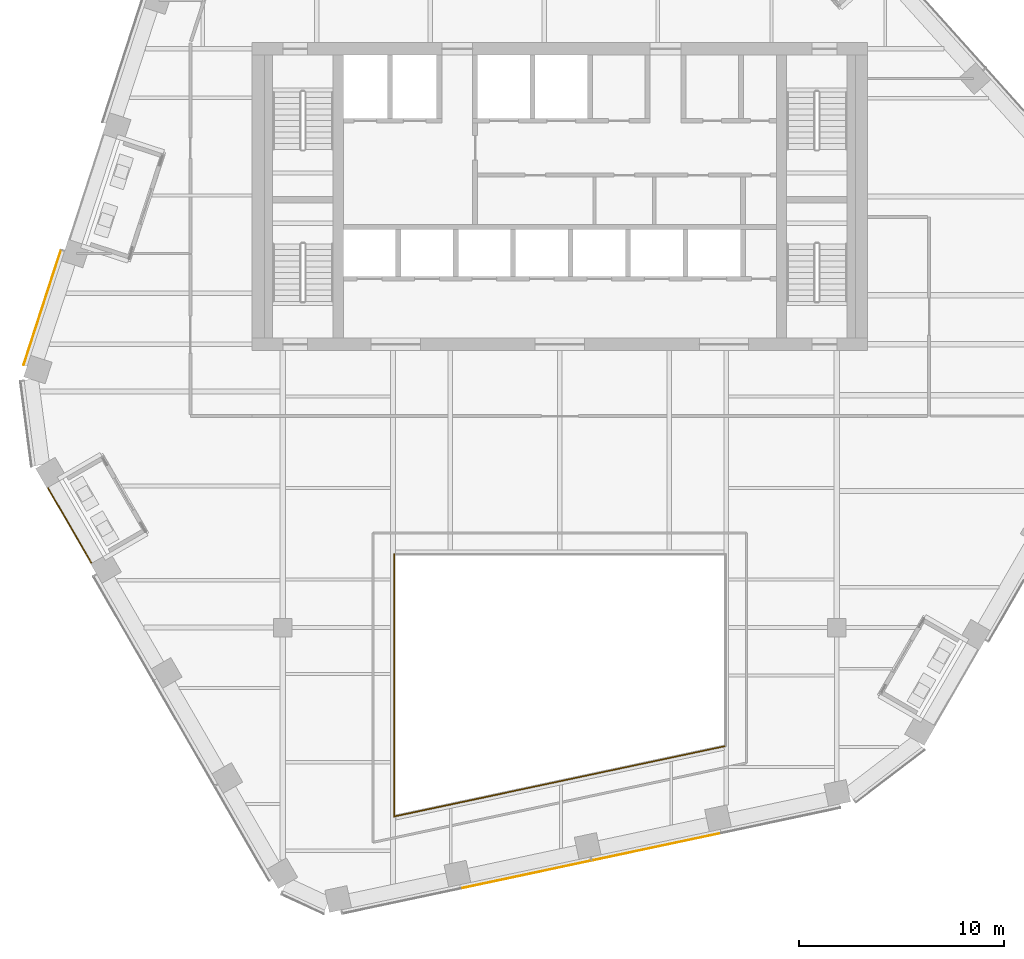
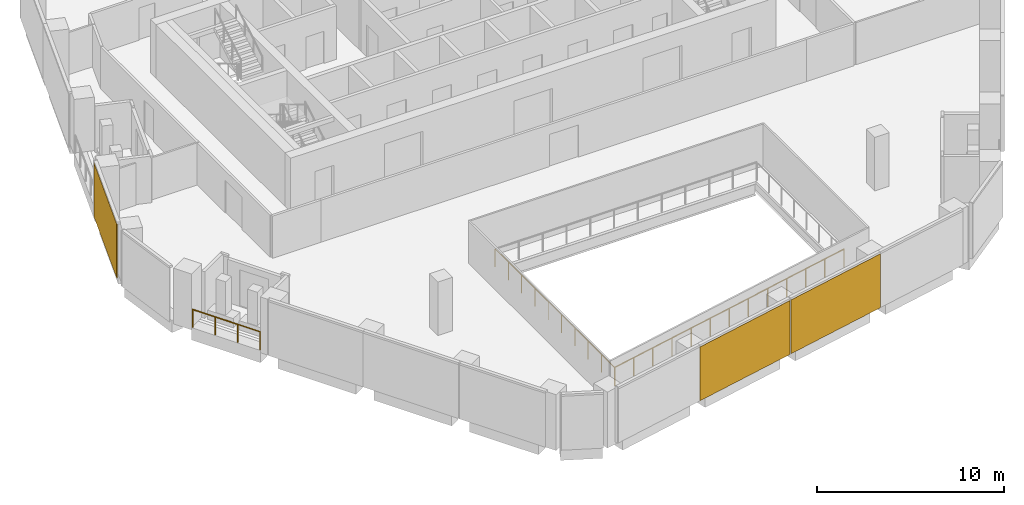
# One storey, part 19 of 24: 3 coverings, 3 railings, 2 elements without a shape of their own.
"""IFC4 building model written with IfcOpenShell, lengths in metres."""

from ifc_helpers import new_model, si_unit, direction, frame, origin, origin_2d, place, context, subcontext, project, spatial, rectangle, circle, extrude, material, layer, layer_set, type_object, element, aggregate, save


model = new_model("IFC4")

# Units and contexts
model_context = context("Model", 3, precision=1e-05, world=origin(), true_north=direction((0.0, 1.0)))
body_context = subcontext(model_context, "Body", "Model", "MODEL_VIEW")
ifc_project = project(units=[si_unit("LENGTHUNIT", "METRE"), si_unit("AREAUNIT", "SQUARE_METRE"), si_unit("VOLUMEUNIT", "CUBIC_METRE"), si_unit("PLANEANGLEUNIT", "RADIAN"), si_unit("MASSUNIT", "GRAM", prefix="KILO")], contexts=[model_context])

# Site, building, storey
site_placement = place(None, origin())
site = spatial("IfcSite", under=ifc_project, at=site_placement, CompositionType="ELEMENT")
building_placement = place(site_placement, origin())
building = spatial("IfcBuilding", under=site, at=building_placement, Name="Isthmus Gate Tower", CompositionType="ELEMENT")
storey_placement = place(building_placement, frame((0.0, 0.0, 219.949951171875)))
storey = spatial("IfcBuildingStorey", under=building, at=storey_placement, Name="L55", CompositionType="ELEMENT", Elevation=219.949951171875)

# Railings
ifc_material_1 = material(Name="Laminated toughened glass balustrade with steel rail", Category="steel")
railing_type_1 = type_object("IfcRailingType", Name="ATRIUM GUARD GLASS BALUSTRADE 1200", PredefinedType="GUARDRAIL", material=ifc_material_1)
railing_1_placement = place(storey_placement, frame((-8.080078125, -22.7099609375, 0.0)))
element("IfcRailing", 1, at=railing_1_placement, inside=storey, type_object=railing_type_1, Name="L55 atrium guard", PredefinedType="GUARDRAIL", context=body_context, shape_type="SweptSolid", body=[
    extrude(circle(Radius=0.02490234375, at=origin_2d()), frame((0.0, 0.0, 1.1748046875), z_axis=(0.0, 1.0, 0.0), x_axis=(-1.0, 0.0, 0.0)), (0.0, 0.0, 1.0), 12.7900390625),
    extrude(circle(Radius=0.02490234375, at=origin_2d()), origin(), (0.0, 0.0, 1.0), 1.14990234375),
    extrude(circle(Radius=0.02490234375, at=origin_2d()), frame((0.0, 1.421142578125, 0.0)), (0.0, 0.0, 1.0), 1.14990234375),
    extrude(circle(Radius=0.02490234375, at=origin_2d()), frame((0.0, 2.84228515625, 0.0)), (0.0, 0.0, 1.0), 1.14990234375),
    extrude(circle(Radius=0.02490234375, at=origin_2d()), frame((0.0, 4.263427734375, 0.0)), (0.0, 0.0, 1.0), 1.14990234375),
    extrude(circle(Radius=0.02490234375, at=origin_2d()), frame((0.0, 5.6845703125, 0.0)), (0.0, 0.0, 1.0), 1.14990234375),
    extrude(circle(Radius=0.02490234375, at=origin_2d()), frame((0.0, 7.10546875, 0.0)), (0.0, 0.0, 1.0), 1.14990234375),
    extrude(circle(Radius=0.02490234375, at=origin_2d()), frame((0.0, 8.526611328125, 0.0)), (0.0, 0.0, 1.0), 1.14990234375),
    extrude(circle(Radius=0.02490234375, at=origin_2d()), frame((0.0, 9.94775390625, 0.0)), (0.0, 0.0, 1.0), 1.14990234375),
    extrude(circle(Radius=0.02490234375, at=origin_2d()), frame((0.0, 11.368896484375, 0.0)), (0.0, 0.0, 1.0), 1.14990234375),
    extrude(circle(Radius=0.02490234375, at=origin_2d()), frame((0.0, 12.7900390625, 0.0)), (0.0, 0.0, 1.0), 1.14990234375),
])
railing_2_placement = place(storey_placement, frame((8.080078125, -19.27490234375, 0.0)))
element("IfcRailing", 2, at=railing_2_placement, inside=storey, type_object=railing_type_1, Name="L55 atrium guard", PredefinedType="GUARDRAIL", context=body_context, shape_type="SweptSolid", body=[
    extrude(circle(Radius=0.02490234375, at=origin_2d()), frame((0.0, 0.0, 1.1748046875), z_axis=(-0.978146230105, -0.207918139013, 0.0), x_axis=(0.207918139013, -0.978146230105, 0.0)), (0.0, 0.0, 1.0), 16.521240234375),
    extrude(circle(Radius=0.02490234375, at=origin_2d()), origin(), (0.0, 0.0, 1.0), 1.14990234375),
    extrude(circle(Radius=0.02490234375, at=origin_2d()), frame((-1.3466796875, -0.2861328125, 0.0)), (0.0, 0.0, 1.0), 1.14990234375),
    extrude(circle(Radius=0.02490234375, at=origin_2d()), frame((-2.693359375, -0.572509765625, 0.0)), (0.0, 0.0, 1.0), 1.14990234375),
    extrude(circle(Radius=0.02490234375, at=origin_2d()), frame((-4.0400390625, -0.85888671875, 0.0)), (0.0, 0.0, 1.0), 1.14990234375),
    extrude(circle(Radius=0.02490234375, at=origin_2d()), frame((-5.38671875, -1.14501953125, 0.0)), (0.0, 0.0, 1.0), 1.14990234375),
    extrude(circle(Radius=0.02490234375, at=origin_2d()), frame((-6.7333984375, -1.43115234375, 0.0)), (0.0, 0.0, 1.0), 1.14990234375),
    extrude(circle(Radius=0.02490234375, at=origin_2d()), frame((-8.080078125, -1.717529296875, 0.0)), (0.0, 0.0, 1.0), 1.14990234375),
    extrude(circle(Radius=0.02490234375, at=origin_2d()), frame((-9.4267578125, -2.00390625, 0.0)), (0.0, 0.0, 1.0), 1.14990234375),
    extrude(circle(Radius=0.02490234375, at=origin_2d()), frame((-10.7734375, -2.2900390625, 0.0)), (0.0, 0.0, 1.0), 1.14990234375),
    extrude(circle(Radius=0.02490234375, at=origin_2d()), frame((-12.1201171875, -2.576171875, 0.0)), (0.0, 0.0, 1.0), 1.14990234375),
    extrude(circle(Radius=0.02490234375, at=origin_2d()), frame((-13.466796875, -2.862548828125, 0.0)), (0.0, 0.0, 1.0), 1.14990234375),
    extrude(circle(Radius=0.02490234375, at=origin_2d()), frame((-14.8134765625, -3.14892578125, 0.0)), (0.0, 0.0, 1.0), 1.14990234375),
    extrude(circle(Radius=0.02490234375, at=origin_2d()), frame((-16.16015625, -3.43505859375, 0.0)), (0.0, 0.0, 1.0), 1.14990234375),
])

# Curtain wall, covering
ifc_material_2 = material(Name="Aluminium, pale champagne anodised", Category="aluminium")
ifc_layer_1 = layer(ifc_material_2, 0.199951171875)
ifc_layer_set_1 = layer_set([ifc_layer_1], Name="CW-1 UNITISED CURTAIN WALL 200 DEEP")
curtain_wall_type = type_object("IfcCurtainWallType", Name="CW-1 UNITISED CURTAIN WALL 200 DEEP", PredefinedType="NOTDEFINED", material=ifc_layer_set_1)
curtain_wall_1_placement = place(storey_placement, origin())
curtain_wall_1 = element("IfcCurtainWall", 3, at=curtain_wall_1_placement, inside=storey, type_object=curtain_wall_type, Name="CW-1 NW L55", PredefinedType="NOTDEFINED")
ifc_material_3 = material(Name="Aluminium composite panel, pale champagne anodised", Category="aluminium")
ifc_layer_2 = layer(ifc_material_3, 0.031982421875)
ifc_layer_set_2 = layer_set([ifc_layer_2], Name="CW-1 PALE METAL PANEL 32")
covering_type = type_object("IfcCoveringType", Name="CW-1 PALE METAL PANEL 32", PredefinedType="CLADDING", material=ifc_layer_set_2)
covering_1_placement = place(storey_placement, frame((-25.224853515625, 2.09521484375, 0.0), z_axis=(0.0, 0.0, 1.0), x_axis=(-0.309016994375, -0.951056516295, 0.0)))
covering_1 = element("IfcCovering", 4, at=covering_1_placement, type_object=covering_type, Name="CW-1 pale metal panel", PredefinedType="CLADDING", context=body_context, shape_type="SweptSolid", body=[
    extrude(rectangle(XDim=5.8818359375, YDim=0.031982421875, at=origin_2d()), origin(), (0.0, 0.0, 1.0), 3.52001953125),
])
aggregate(curtain_wall_1, [covering_1])

# Curtain wall, coverings
curtain_wall_2_placement = place(storey_placement, origin())
curtain_wall_2 = element("IfcCurtainWall", 5, at=curtain_wall_2_placement, inside=storey, type_object=curtain_wall_type, Name="CW-1 S L55", PredefinedType="NOTDEFINED")
covering_2_placement = place(storey_placement, frame((-1.66259765625, -25.54150390625, 0.0), z_axis=(0.0, 0.0, 1.0), x_axis=(0.978147600734, 0.207911690818, 0.0)))
covering_2 = element("IfcCovering", 6, at=covering_2_placement, type_object=covering_type, Name="CW-1 pale metal panel", PredefinedType="CLADDING", context=body_context, shape_type="SweptSolid", body=[
    extrude(rectangle(XDim=6.491943359375, YDim=0.031982421875, at=origin_2d()), origin(), (0.0, 0.0, 1.0), 3.52001953125),
])
covering_3_placement = place(storey_placement, frame((4.716796875, -24.185546875, 0.0), z_axis=(0.0, 0.0, 1.0), x_axis=(0.978147600734, 0.207911690818, 0.0)))
covering_3 = element("IfcCovering", 7, at=covering_3_placement, type_object=covering_type, Name="CW-1 pale metal panel", PredefinedType="CLADDING", context=body_context, shape_type="SweptSolid", body=[
    extrude(rectangle(XDim=6.431884765625, YDim=0.031982421875, at=origin_2d()), origin(), (0.0, 0.0, 1.0), 3.52001953125),
])
aggregate(curtain_wall_2, [covering_2, covering_3])

# Railing
ifc_material_4 = material(Name="Toughened laminated glass with stainless steel posts", Category="steel")
railing_type_2 = type_object("IfcRailingType", Name="GUARD 1200 FRAMELESS GLASS", PredefinedType="GUARDRAIL", material=ifc_material_4)
railing_3_placement = place(storey_placement, frame((-24.932861328125, -6.715087890625, 0.0)))
element("IfcRailing", 8, at=railing_3_placement, inside=storey, type_object=railing_type_2, Name="LOGGIA GUARD", PredefinedType="GUARDRAIL", context=body_context, shape_type="SweptSolid", body=[
    extrude(circle(Radius=0.02490234375, at=origin_2d()), frame((0.0, 0.0, 1.1748046875), z_axis=(0.500020711042, -0.866013445929, 0.0), x_axis=(0.866013445929, 0.500020711042, 0.0)), (0.0, 0.0, 1.0), 4.180419921875),
    extrude(circle(Radius=0.02490234375, at=origin_2d()), origin(), (0.0, 0.0, 1.0), 1.14990234375),
    extrude(circle(Radius=0.02490234375, at=origin_2d()), frame((0.69677734375, -1.206787109375, 0.0)), (0.0, 0.0, 1.0), 1.14990234375),
    extrude(circle(Radius=0.02490234375, at=origin_2d()), frame((1.3935546875, -2.41357421875, 0.0)), (0.0, 0.0, 1.0), 1.14990234375),
    extrude(circle(Radius=0.02490234375, at=origin_2d()), frame((2.09033203125, -3.620361328125, 0.0)), (0.0, 0.0, 1.0), 1.14990234375),
])

save(model, "model.ifc")
